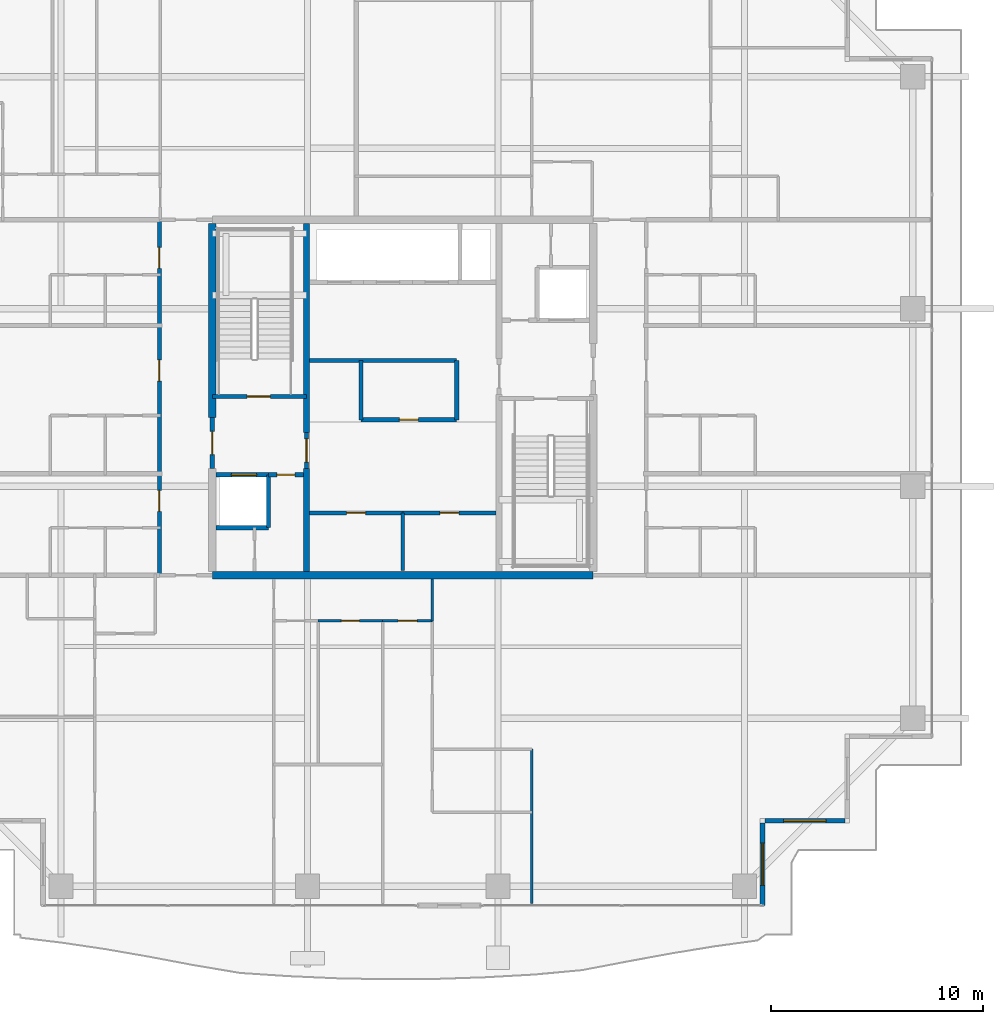
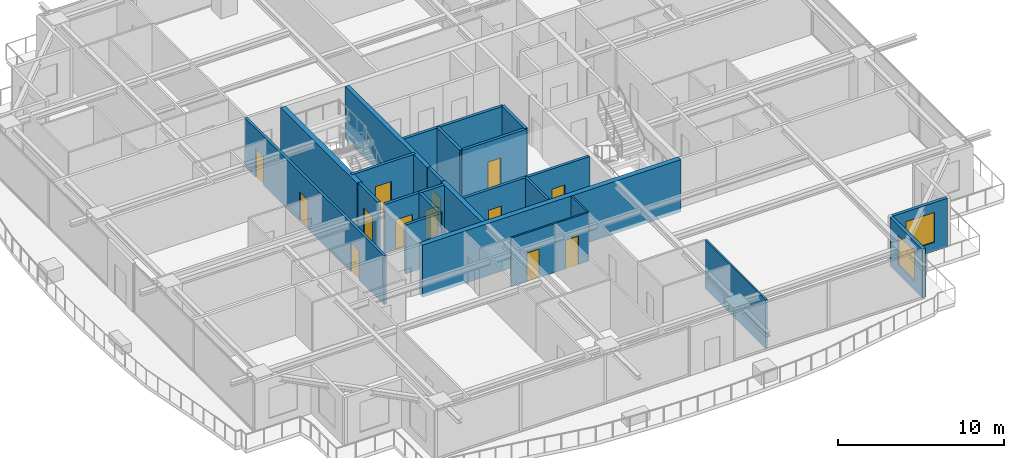
# One storey, part 26 of 36: 25 walls, 13 doors, 2 windows, 15 openings.
"""IFC4 building model written with IfcOpenShell, lengths in metres."""

import ifcopenshell
import ifcopenshell.guid

model = None  # the IFC model being written
_history = None  # IfcOwnerHistory: only IFC2X3 demands one
_inside = {}  # id of a spatial element -> (the spatial element, [elements in it])
_under = {}  # id of a project, library or spatial element -> (it, [spatial elements below it])
_declared = {}  # id of a project -> (the project, [libraries it declares])
_typed = {}  # id of a type object -> (the type object, [elements of that type])
_made_of = {}  # id of a material, layer set ... -> (it, [elements and type objects made of it])


def new_model(schema):
    """Start an empty IFC model of exactly this schema.

    Asked for "IFC4X3", IfcOpenShell would pick the latest addendum, in which some entities
    have other attributes; the version numbers below select the first issue.
    IFC2X3 requires an IfcOwnerHistory on every rooted entity: one is made here for all.
    """
    global model, _history
    if schema == "IFC4X3":
        model = ifcopenshell.file(schema_version=(4, 3, 0, 0))
    else:
        model = ifcopenshell.file(schema=schema)
    _inside.clear()
    _under.clear()
    _declared.clear()
    _typed.clear()
    _made_of.clear()
    _history = None
    if model.schema == "IFC2X3":
        org = make("IfcOrganization", Name="unknown")
        user = make(
            "IfcPersonAndOrganization",
            ThePerson=make("IfcPerson", FamilyName="unknown"),
            TheOrganization=org,
        )
        app = make(
            "IfcApplication",
            ApplicationDeveloper=org,
            Version="unknown",
            ApplicationFullName="unknown",
            ApplicationIdentifier="unknown",
        )
        _history = make(
            "IfcOwnerHistory",
            OwningUser=user,
            OwningApplication=app,
            ChangeAction="ADDED",
            CreationDate=0,
        )
    return model


def make(cls, **values):
    """One entity of the class cls with the attributes given. An attribute that is None is left unset."""
    return model.create_entity(
        cls, **{name: value for name, value in values.items() if value is not None}
    )


def rooted(cls, **values):
    """An entity with a GlobalId (a new one), such as an element, a storey or a relation."""
    return make(cls, GlobalId=ifcopenshell.guid.new(), OwnerHistory=_history, **values)


def si_unit(unit_type, name, prefix=None):
    """IfcSIUnit, for example si_unit("LENGTHUNIT", "METRE", prefix="MILLI")."""
    return make("IfcSIUnit", UnitType=unit_type, Prefix=prefix, Name=name)


def assignment(units):
    """IfcUnitAssignment: the units of a project."""
    return None if units is None else make("IfcUnitAssignment", Units=units)


def point(xyz):
    """IfcCartesianPoint."""
    return None if xyz is None else make("IfcCartesianPoint", Coordinates=xyz)


def direction(xyz):
    """IfcDirection."""
    return None if xyz is None else make("IfcDirection", DirectionRatios=xyz)


def frame(location, z_axis=None, x_axis=None):
    """IfcAxis2Placement3D, a coordinate frame: its origin and axes. An axis left out is left unset."""
    return make(
        "IfcAxis2Placement3D",
        Location=point(location),
        Axis=direction(z_axis),
        RefDirection=direction(x_axis),
    )


def frame_2d(location, x_axis=None):
    """IfcAxis2Placement2D, a coordinate frame in the plane: its origin and x axis."""
    return make(
        "IfcAxis2Placement2D", Location=point(location), RefDirection=direction(x_axis)
    )


def origin():
    """The frame at (0, 0, 0) with its axes left unset."""
    return frame((0.0, 0.0, 0.0))


def place(relative_to, where):
    """IfcLocalPlacement: puts the frame where relative to a parent placement (None: the world)."""
    return make(
        "IfcLocalPlacement", PlacementRelTo=relative_to, RelativePlacement=where
    )


def context(
    kind, dimensions, precision=None, world=None, true_north=None, identifier=None
):
    """IfcGeometricRepresentationContext, for example the 3D "Model" context."""
    return make(
        "IfcGeometricRepresentationContext",
        ContextIdentifier=identifier,
        ContextType=kind,
        CoordinateSpaceDimension=dimensions,
        Precision=precision,
        WorldCoordinateSystem=world,
        TrueNorth=true_north,
    )


def subcontext(parent, identifier, kind, view, scale=None):
    """IfcGeometricRepresentationSubContext, for example "Body" below "Model"."""
    return make(
        "IfcGeometricRepresentationSubContext",
        ContextIdentifier=identifier,
        ContextType=kind,
        ParentContext=parent,
        TargetScale=scale,
        TargetView=view,
    )


def project(units=None, contexts=None):
    """IfcProject with its units and contexts."""
    return rooted(
        "IfcProject",
        Name="project",
        RepresentationContexts=contexts,
        UnitsInContext=assignment(units),
    )


def spatial(cls, under=None, at=None, **own):
    """A site, building, storey or space (cls), placed at a placement, below another one or the project."""
    s = rooted(cls, ObjectPlacement=at, **own)
    if under is not None:
        _under.setdefault(under.id(), (under, []))[1].append(s)
    return s


def profile(cls, at=None, kind="AREA", **sizes):
    """A parametric profile (cls). Its sizes go by their IFC names, for example OverallWidth=200.0."""
    return make(cls, ProfileType=kind, Position=at, **sizes)


def rectangle(**sizes):
    """IfcRectangleProfileDef."""
    return profile("IfcRectangleProfileDef", **sizes)


def extrude(swept, where, along, depth):
    """IfcExtrudedAreaSolid: the profile swept, set in the frame where, extruded along a direction by depth."""
    return make(
        "IfcExtrudedAreaSolid",
        SweptArea=swept,
        Position=where,
        ExtrudedDirection=direction(along),
        Depth=depth,
    )


def shape(context_of_items, identifier, shape_type, items):
    """IfcShapeRepresentation: the items that make up one representation, for example the "Body"."""
    return make(
        "IfcShapeRepresentation",
        ContextOfItems=context_of_items,
        RepresentationIdentifier=identifier,
        RepresentationType=shape_type,
        Items=items,
    )


def source(mapping_origin, context_of_items, identifier, shape_type, items):
    """IfcRepresentationMap: a shape defined once, which mapped items show again and again."""
    return make(
        "IfcRepresentationMap",
        MappingOrigin=mapping_origin,
        MappedRepresentation=shape(context_of_items, identifier, shape_type, items),
    )


def transform(
    local_origin,
    x_axis=None,
    y_axis=None,
    z_axis=None,
    scale=None,
    scale2=None,
    scale3=None,
    uniform=True,
):
    """IfcCartesianTransformationOperator3D, or its non-uniform kind. x_axis, y_axis, z_axis: its Axis1, 2, 3."""
    if uniform:
        return make(
            "IfcCartesianTransformationOperator3D",
            Axis1=direction(x_axis),
            Axis2=direction(y_axis),
            LocalOrigin=point(local_origin),
            Scale=scale,
            Axis3=direction(z_axis),
        )
    return make(
        "IfcCartesianTransformationOperator3DnonUniform",
        Axis1=direction(x_axis),
        Axis2=direction(y_axis),
        LocalOrigin=point(local_origin),
        Scale=scale,
        Axis3=direction(z_axis),
        Scale2=scale2,
        Scale3=scale3,
    )


def mapped(mapping_source, mapping_target):
    """IfcMappedItem: shows the shape of a source again, moved by a transform."""
    return make(
        "IfcMappedItem", MappingSource=mapping_source, MappingTarget=mapping_target
    )


def material(Name=None, Category=None):
    """IfcMaterial."""
    return make("IfcMaterial", Name=Name, Category=Category)


def layer(
    of_material, thickness, ventilated=None, Name=None, Category=None, Priority=None
):
    """IfcMaterialLayer: one layer of a wall or slab, of a material (None: an air gap)."""
    return make(
        "IfcMaterialLayer",
        Material=of_material,
        LayerThickness=thickness,
        IsVentilated=ventilated,
        Name=Name,
        Category=Category,
        Priority=Priority,
    )


def layer_set(layers, Name=None):
    """IfcMaterialLayerSet."""
    return make("IfcMaterialLayerSet", MaterialLayers=layers, LayerSetName=Name)


def made_of(thing, what):
    """Note that an element or type object is made of a material, layer set ...; save() writes the relation."""
    if what is not None:
        _made_of.setdefault(what.id(), (what, []))[1].append(thing)
    return thing


def type_object(cls, material=None, **own):
    """A type object (cls), such as IfcWallType, which elements share."""
    return made_of(rooted(cls, **own), material)


def element(
    cls,
    number,
    at=None,
    inside=None,
    cuts=None,
    type_object=None,
    material=None,
    context=None,
    identifier="Body",
    shape_type=None,
    held_by="IfcProductDefinitionShape",
    body=None,
    shapes=None,
    **own,
):
    """One element of the class cls, such as IfcWall. Its Tag is "e" and its number.

    at: its placement. inside: the storey or other place that contains it. cuts: it is an
    opening in that element (IfcRelVoidsElement). A single representation is given by context,
    identifier, shape_type and body (its items); several are given by shapes. held_by: the class
    of the entity that holds the representations. save() writes the other relations.
    """
    e = rooted(cls, Tag="e%d" % number, ObjectPlacement=at, **own)
    if body is not None:
        shapes = [shape(context, identifier, shape_type, body)]
    if shapes is not None:
        e.Representation = make(held_by, Representations=shapes)
    if inside is not None:
        _inside.setdefault(inside.id(), (inside, []))[1].append(e)
    if cuts is not None:
        rooted(
            "IfcRelVoidsElement", RelatingBuildingElement=cuts, RelatedOpeningElement=e
        )
    if type_object is not None:
        _typed.setdefault(type_object.id(), (type_object, []))[1].append(e)
    return made_of(e, material)


def fill(opening, filler):
    """IfcRelFillsElement: the door or window that sits in an opening."""
    return rooted(
        "IfcRelFillsElement",
        RelatingOpeningElement=opening,
        RelatedBuildingElement=filler,
    )


def aggregate(whole, parts):
    """IfcRelAggregates: a whole, such as a stair, and the parts it consists of."""
    return rooted("IfcRelAggregates", RelatingObject=whole, RelatedObjects=parts)


def save(model, path):
    """Write the relations noted so far, then the file.

    IfcRelAggregates (storeys below a building ...), IfcRelContainedInSpatialStructure (elements
    in a storey), IfcRelDefinesByType, IfcRelAssociatesMaterial and IfcRelDeclares: one each for
    every whole, place, type object, material and project.
    """
    for whole, parts in _under.values():
        aggregate(whole, parts)
    for where, things in _inside.values():
        rooted(
            "IfcRelContainedInSpatialStructure",
            RelatedElements=things,
            RelatingStructure=where,
        )
    for kind, things in _typed.values():
        rooted("IfcRelDefinesByType", RelatedObjects=things, RelatingType=kind)
    for what, things in _made_of.values():
        rooted("IfcRelAssociatesMaterial", RelatedObjects=things, RelatingMaterial=what)
    for by, libraries in _declared.values():
        rooted("IfcRelDeclares", RelatingContext=by, RelatedDefinitions=libraries)
    model.write(path)


model = new_model("IFC4")

# Units and contexts
model_context = context("Model", 3, precision=1e-05, world=origin(), true_north=direction((0.0, 1.0)))
body_context = subcontext(model_context, "Body", "Model", "MODEL_VIEW")
ifc_project = project(units=[si_unit("LENGTHUNIT", "METRE"), si_unit("AREAUNIT", "SQUARE_METRE"), si_unit("VOLUMEUNIT", "CUBIC_METRE"), si_unit("PLANEANGLEUNIT", "RADIAN"), si_unit("MASSUNIT", "GRAM", prefix="KILO")], contexts=[model_context])

# Site, building, storey
site_placement = place(None, origin())
site = spatial("IfcSite", under=ifc_project, at=site_placement, CompositionType="ELEMENT")
building_placement = place(site_placement, origin())
building = spatial("IfcBuilding", under=site, at=building_placement, Name="Serunith Strait Residences", CompositionType="ELEMENT")
storey_placement = place(building_placement, frame((0.0, 0.0, 256.64990234375)))
storey = spatial("IfcBuildingStorey", under=building, at=storey_placement, Name="L64", CompositionType="ELEMENT", Elevation=256.64990234375)

# Wall, opening, window
ifc_material_1 = material(Name="Pale-Champagne Aluminium Insulated Panel", Category="aluminium")
ifc_layer_1 = layer(ifc_material_1, 0.219970703125, Name="Pale-Champagne Aluminium Insulated Panel")
ifc_layer_set_1 = layer_set([ifc_layer_1], Name="Pale-Champagne Aluminium Insulated Panel")
wall_type_1 = type_object("IfcWallType", Name="EW-ALUM-220", PredefinedType="ELEMENTEDWALL", material=ifc_layer_set_1)
wall_1_placement = place(storey_placement, frame((49.39990234375, 1.199951171875, 0.0), z_axis=(0.0, 0.0, 1.0), x_axis=(0.0, 1.0, 0.0)))
wall_1 = element("IfcWall", 1, at=wall_1_placement, inside=storey, type_object=wall_type_1, Name="L64 Girih Serrated Corner Wall 02", PredefinedType="ELEMENTEDWALL", context=body_context, shape_type="SweptSolid", body=[
    extrude(rectangle(XDim=3.89013671875, YDim=0.219970703125, at=frame_2d((1.945068359375, 0.0))), origin(), (0.0, 0.0, 1.0), 3.5751953125),
])
opening_1_placement = place(wall_1_placement, frame((0.945068359375, 0.0, 0.64990234375)))
opening_1 = element("IfcOpeningElement", 2, at=opening_1_placement, cuts=wall_1, Name="Opening W-04", PredefinedType="OPENING", context=body_context, shape_type="SweptSolid", body=[
    extrude(rectangle(XDim=2.0, YDim=2.199951171875, at=frame_2d((1.0, 1.10009765625))), frame((0.0, 0.1201171875, 0.0), z_axis=(0.0, -1.0, 0.0), x_axis=(1.0, 0.0, 0.0)), (0.0, 0.0, 1.0), 0.239990234375),
])
ifc_material_2 = material(Name="Ceramic-Fritted Operable Aluminium Window Glass", Category="aluminium")
window_type = type_object("IfcWindowType", Name="WIN-C4", PartitioningType="TRIPLE_PANEL_VERTICAL", PredefinedType="WINDOW", material=ifc_material_2)
shared_shape_1 = source(origin(), body_context, "Body", "SweptSolid", [
    extrude(rectangle(XDim=2.0, YDim=2.199951171875, at=frame_2d((1.0, 1.10009765625))), frame((0.0, 0.030029296875, 0.0), z_axis=(0.0, -1.0, 0.0), x_axis=(1.0, 0.0, 0.0)), (0.0, 0.0, 1.0), 0.06005859375),
])
window_1_placement = place(opening_1_placement, origin())
window_1 = element("IfcWindow", 3, at=window_1_placement, inside=storey, type_object=window_type, Name="L64 Corner Operable Fritted Window 02", OverallHeight=2.199951171875, OverallWidth=2.0, PartitioningType="SINGLE_PANEL", PredefinedType="WINDOW", context=body_context, shape_type="MappedRepresentation", body=[
    mapped(shared_shape_1, transform((0.0, 0.0, 0.0), scale=1.0)),
])
fill(opening_1, window_1)

wall_2_placement = place(storey_placement, frame((49.510009765625, 5.199951171875, 0.0), z_axis=(0.0, 0.0, 1.0), x_axis=(1.0, 0.0, 0.0)))
wall_2 = element("IfcWall", 4, at=wall_2_placement, inside=storey, type_object=wall_type_1, Name="L64 Girih Serrated Corner Wall 03", PredefinedType="ELEMENTEDWALL", context=body_context, shape_type="SweptSolid", body=[
    extrude(rectangle(XDim=3.780029296875, YDim=0.219970703125, at=frame_2d((1.89013671875, 0.0))), origin(), (0.0, 0.0, 1.0), 3.5751953125),
])
opening_2_placement = place(wall_2_placement, frame((0.889892578125, 0.0, 0.64990234375)))
opening_2 = element("IfcOpeningElement", 5, at=opening_2_placement, cuts=wall_2, Name="Opening W-04", PredefinedType="OPENING", context=body_context, shape_type="SweptSolid", body=[
    extrude(rectangle(XDim=2.0, YDim=2.199951171875, at=frame_2d((1.0, 1.10009765625))), frame((0.0, 0.1201171875, 0.0), z_axis=(0.0, -1.0, 0.0), x_axis=(1.0, 0.0, 0.0)), (0.0, 0.0, 1.0), 0.239990234375),
])
window_2_placement = place(opening_2_placement, origin())
window_2 = element("IfcWindow", 6, at=window_2_placement, inside=storey, type_object=window_type, Name="L64 Corner Operable Fritted Window 03", OverallHeight=2.199951171875, OverallWidth=2.0, PartitioningType="SINGLE_PANEL", PredefinedType="WINDOW", context=body_context, shape_type="MappedRepresentation", body=[
    mapped(shared_shape_1, transform((0.0, 0.0, 0.0), scale=1.0)),
])
fill(opening_2, window_2)

# Wall
ifc_material_3 = material(Name="Fire-rated masonry service closet wall", Category="masonry")
ifc_layer_2 = layer(ifc_material_3, 0.14990234375, Name="Fire-rated masonry service closet wall")
ifc_layer_set_2 = layer_set([ifc_layer_2], Name="Fire-rated masonry service closet wall")
wall_type_2 = type_object("IfcWallType", Name="IW-BOH-150", PredefinedType="PARTITIONING", material=ifc_layer_set_2)
wall_3_placement = place(storey_placement, frame((32.39990234375, 17.02001953125, 0.0), z_axis=(0.0, 0.0, 1.0), x_axis=(0.0, 1.0, 0.0)))
element("IfcWall", 7, at=wall_3_placement, inside=storey, type_object=wall_type_2, Name="L64 Partition Wall 015", PredefinedType="PARTITIONING", context=body_context, shape_type="SweptSolid", body=[
    extrude(rectangle(XDim=2.72998046875, YDim=0.14990234375, at=frame_2d((1.364990234375, 0.0))), origin(), (0.0, 0.0, 1.0), 3.590087890625),
])

# Wall, openings, doors
ifc_material_4 = material(Name="Fire-rated acoustic gypsum partition")
ifc_layer_3 = layer(ifc_material_4, 0.179931640625, Name="Fire-rated acoustic gypsum partition")
ifc_layer_set_3 = layer_set([ifc_layer_3], Name="Fire-rated acoustic gypsum partition")
wall_type_3 = type_object("IfcWallType", Name="IW-CORR-180", PredefinedType="PARTITIONING", material=ifc_layer_set_3)
wall_4_placement = place(storey_placement, frame((20.89990234375, 16.800048828125, 0.0), z_axis=(0.0, 0.0, 1.0), x_axis=(0.0, 1.0, 0.0)))
wall_4 = element("IfcWall", 8, at=wall_4_placement, inside=storey, type_object=wall_type_3, Name="L64 Partition Wall 031", PredefinedType="PARTITIONING", context=body_context, shape_type="SweptSolid", body=[
    extrude(rectangle(XDim=16.800048828125, YDim=0.179931640625, at=frame_2d((8.39990234375, 0.0))), origin(), (0.0, 0.0, 1.0), 3.590087890625),
])
opening_3_placement = place(wall_4_placement, frame((3.01806640625, 0.0, 0.0)))
opening_3 = element("IfcOpeningElement", 9, at=opening_3_placement, cuts=wall_4, Name="Opening D-APT1000", PredefinedType="OPENING", context=body_context, shape_type="SweptSolid", body=[
    extrude(rectangle(XDim=1.0, YDim=2.14990234375, at=frame_2d((0.5, 1.074951171875))), frame((0.0, 0.10009765625, 0.0), z_axis=(0.0, -1.0, 0.0), x_axis=(1.0, 0.0, 0.0)), (0.0, 0.0, 1.0), 0.199951171875),
])
opening_4_placement = place(wall_4_placement, frame((9.179931640625, 0.0, 0.0)))
opening_4 = element("IfcOpeningElement", 10, at=opening_4_placement, cuts=wall_4, Name="Opening D-APT1000", PredefinedType="OPENING", context=body_context, shape_type="SweptSolid", body=[
    extrude(rectangle(XDim=1.0, YDim=2.14990234375, at=frame_2d((0.5, 1.074951171875))), frame((0.0, 0.10009765625, 0.0), z_axis=(0.0, -1.0, 0.0), x_axis=(1.0, 0.0, 0.0)), (0.0, 0.0, 1.0), 0.199951171875),
])
opening_5_placement = place(wall_4_placement, frame((14.5, 0.0, 0.0)))
opening_5 = element("IfcOpeningElement", 11, at=opening_5_placement, cuts=wall_4, Name="Opening D-APT1000", PredefinedType="OPENING", context=body_context, shape_type="SweptSolid", body=[
    extrude(rectangle(XDim=1.0, YDim=2.14990234375, at=frame_2d((0.5, 1.074951171875))), frame((0.0, 0.10009765625, 0.0), z_axis=(0.0, -1.0, 0.0), x_axis=(1.0, 0.0, 0.0)), (0.0, 0.0, 1.0), 0.199951171875),
])
ifc_material_5 = material(Name="Solid timber engineered fire door", Category="wood")
door_type_1 = type_object("IfcDoorType", Name="ID-APT-1000", OperationType="NOTDEFINED", PredefinedType="DOOR", material=ifc_material_5)
shared_shape_2 = source(origin(), body_context, "Body", "SweptSolid", [
    extrude(rectangle(XDim=1.0, YDim=2.14990234375, at=frame_2d((0.5, 1.074951171875))), frame((0.0, 0.02490234375, 0.0), z_axis=(0.0, -1.0, 0.0), x_axis=(1.0, 0.0, 0.0)), (0.0, 0.0, 1.0), 0.050048828125),
])
door_1_placement = place(opening_3_placement, origin())
door_1 = element("IfcDoor", 12, at=door_1_placement, inside=storey, type_object=door_type_1, Name="L64 Unit 04 Entrance Door", OperationType="SINGLE_SWING_RIGHT", OverallHeight=2.14990234375, OverallWidth=1.0, PredefinedType="DOOR", context=body_context, shape_type="MappedRepresentation", body=[
    mapped(shared_shape_2, transform((0.0, 0.0, 0.0), scale=1.0)),
])
fill(opening_3, door_1)
door_2_placement = place(opening_4_placement, origin())
door_2 = element("IfcDoor", 13, at=door_2_placement, inside=storey, type_object=door_type_1, Name="L64 Unit 05 Entrance Door", OperationType="SINGLE_SWING_LEFT", OverallHeight=2.14990234375, OverallWidth=1.0, PredefinedType="DOOR", context=body_context, shape_type="MappedRepresentation", body=[
    mapped(shared_shape_2, transform((0.0, 0.0, 0.0), scale=1.0)),
])
fill(opening_4, door_2)
door_3_placement = place(opening_5_placement, origin())
door_3 = element("IfcDoor", 14, at=door_3_placement, inside=storey, type_object=door_type_1, Name="L64 Unit 06 Entrance Door", OperationType="SINGLE_SWING_RIGHT", OverallHeight=2.14990234375, OverallWidth=1.0, PredefinedType="DOOR", context=body_context, shape_type="MappedRepresentation", body=[
    mapped(shared_shape_2, transform((0.0, 0.0, 0.0), scale=1.0)),
])
fill(opening_5, door_3)

# Wall, opening, door
ifc_material_6 = material(Name="Lightweight steel-stud gypsum partition", Category="steel")
ifc_layer_4 = layer(ifc_material_6, 0.1201171875, Name="Lightweight steel-stud gypsum partition")
ifc_layer_set_4 = layer_set([ifc_layer_4], Name="Lightweight steel-stud gypsum partition")
wall_type_4 = type_object("IfcWallType", Name="IW-PART-120", PredefinedType="PARTITIONING", material=ifc_layer_set_4)
wall_5_placement = place(storey_placement, frame((28.402099609375, 14.64990234375, 0.0), z_axis=(0.0, 0.0, 1.0), x_axis=(1.0, 0.0, 0.0)))
wall_5 = element("IfcWall", 15, at=wall_5_placement, inside=storey, type_object=wall_type_4, Name="L64 Partition Wall 050", PredefinedType="PARTITIONING", context=body_context, shape_type="SweptSolid", body=[
    extrude(rectangle(XDim=3.0478515625, YDim=0.1201171875, at=frame_2d((1.52392578125, 0.0))), origin(), (0.0, 0.0, 1.0), 3.590087890625),
])
opening_6_placement = place(wall_5_placement, frame((1.09912109375, 0.0, 0.0)))
opening_6 = element("IfcOpeningElement", 16, at=opening_6_placement, cuts=wall_5, Name="Opening D-RM850", PredefinedType="OPENING", context=body_context, shape_type="SweptSolid", body=[
    extrude(rectangle(XDim=0.85009765625, YDim=2.10009765625, at=frame_2d((0.425048828125, 1.050048828125))), frame((0.0, 0.070068359375, 0.0), z_axis=(0.0, -1.0, 0.0), x_axis=(1.0, 0.0, 0.0)), (0.0, 0.0, 1.0), 0.14013671875),
])
ifc_material_7 = material(Name="Engineered timber flush study and kitchen door", Category="wood")
door_type_2 = type_object("IfcDoorType", Name="ID-ROOM-850", OperationType="NOTDEFINED", PredefinedType="DOOR", material=ifc_material_7)
shared_shape_3 = source(origin(), body_context, "Body", "SweptSolid", [
    extrude(rectangle(XDim=0.85009765625, YDim=2.10009765625, at=frame_2d((0.425048828125, 1.050048828125))), frame((0.0, 0.02490234375, 0.0), z_axis=(0.0, -1.0, 0.0), x_axis=(1.0, 0.0, 0.0)), (0.0, 0.0, 1.0), 0.050048828125),
])
door_4_placement = place(opening_6_placement, origin())
door_4 = element("IfcDoor", 17, at=door_4_placement, inside=storey, type_object=door_type_2, Name="L64 Formal Dining Room 6401 Door", OperationType="SINGLE_SWING_RIGHT", OverallHeight=2.10009765625, OverallWidth=0.85009765625, PredefinedType="DOOR", context=body_context, shape_type="MappedRepresentation", body=[
    mapped(shared_shape_3, transform((0.0, 0.0, 0.0), scale=1.0)),
])
fill(opening_6, door_4)

wall_6_placement = place(storey_placement, frame((31.451904296875, 14.64990234375, 0.0), z_axis=(0.0, 0.0, 1.0), x_axis=(1.0, 0.0, 0.0)))
wall_6 = element("IfcWall", 18, at=wall_6_placement, inside=storey, type_object=wall_type_4, Name="L64 Partition Wall 051", PredefinedType="PARTITIONING", context=body_context, shape_type="SweptSolid", body=[
    extrude(rectangle(XDim=2.34814453125, YDim=0.1201171875, at=frame_2d((1.174072265625, 0.0))), origin(), (0.0, 0.0, 1.0), 3.590087890625),
])
opening_7_placement = place(wall_6_placement, frame((0.72412109375, 0.0, 0.0)))
opening_7 = element("IfcOpeningElement", 19, at=opening_7_placement, cuts=wall_6, Name="Opening D-RM900", PredefinedType="OPENING", context=body_context, shape_type="SweptSolid", body=[
    extrude(rectangle(XDim=0.89990234375, YDim=2.10009765625, at=frame_2d((0.449951171875, 1.050048828125))), frame((0.0, 0.070068359375, 0.0), z_axis=(0.0, -1.0, 0.0), x_axis=(1.0, 0.0, 0.0)), (0.0, 0.0, 1.0), 0.14013671875),
])
ifc_material_8 = material(Name="Engineered timber flush bedroom door", Category="wood")
door_type_3 = type_object("IfcDoorType", Name="ID-ROOM-900", OperationType="NOTDEFINED", PredefinedType="DOOR", material=ifc_material_8)
shared_shape_4 = source(origin(), body_context, "Body", "SweptSolid", [
    extrude(rectangle(XDim=0.89990234375, YDim=2.10009765625, at=frame_2d((0.449951171875, 1.050048828125))), frame((0.0, 0.02490234375, 0.0), z_axis=(0.0, -1.0, 0.0), x_axis=(1.0, 0.0, 0.0)), (0.0, 0.0, 1.0), 0.050048828125),
])
door_5_placement = place(opening_7_placement, origin())
door_5 = element("IfcDoor", 20, at=door_5_placement, inside=storey, type_object=door_type_3, Name="L64 Master Bedroom E 6401 Door", OperationType="SINGLE_SWING_LEFT", OverallHeight=2.10009765625, OverallWidth=0.89990234375, PredefinedType="DOOR", context=body_context, shape_type="MappedRepresentation", body=[
    mapped(shared_shape_4, transform((0.0, 0.0, 0.0), scale=1.0)),
])
fill(opening_7, door_5)

# Walls
wall_7_placement = place(storey_placement, frame((38.5, 1.294921875, 0.0), z_axis=(0.0, 0.0, 1.0), x_axis=(0.0, 1.0, 0.0)))
element("IfcWall", 21, at=wall_7_placement, inside=storey, type_object=wall_type_4, Name="L64 Partition Wall 053", PredefinedType="PARTITIONING", context=body_context, shape_type="SweptSolid", body=[
    extrude(rectangle(XDim=7.29296875, YDim=0.1201171875, at=frame_2d((3.646484375, 0.0))), origin(), (0.0, 0.0, 1.0), 3.590087890625),
])
wall_8_placement = place(storey_placement, frame((33.800048828125, 14.652099609375, 0.0), z_axis=(0.0, 0.0, 1.0), x_axis=(0.0, 1.0, 0.0)))
element("IfcWall", 22, at=wall_8_placement, inside=storey, type_object=wall_type_4, Name="L64 Partition Wall 057", PredefinedType="PARTITIONING", context=body_context, shape_type="SweptSolid", body=[
    extrude(rectangle(XDim=1.972900390625, YDim=0.1201171875, at=frame_2d((0.986328125, 0.0))), origin(), (0.0, 0.0, 1.0), 3.590087890625),
])

# Wall, opening, door
ifc_material_9 = material(Name="Autoclaved aerated concrete blockwork", Category="masonry")
ifc_layer_5 = layer(ifc_material_9, 0.199951171875, Name="Autoclaved aerated concrete blockwork")
ifc_layer_set_5 = layer_set([ifc_layer_5], Name="Autoclaved aerated concrete blockwork")
wall_type_5 = type_object("IfcWallType", Name="IW-SHAFT-200", PredefinedType="STANDARD", material=ifc_layer_set_5)
wall_9_placement = place(storey_placement, frame((23.39990234375, 25.25, 0.0), z_axis=(0.0, 0.0, 1.0), x_axis=(1.0, 0.0, 0.0)))
wall_9 = element("IfcWall", 23, at=wall_9_placement, inside=storey, type_object=wall_type_5, Name="L64 ST-1 South Shaft Wall", PredefinedType="STANDARD", context=body_context, shape_type="SweptSolid", body=[
    extrude(rectangle(XDim=4.4501953125, YDim=0.199951171875, at=frame_2d((2.22509765625, 0.0))), origin(), (0.0, 0.0, 1.0), 3.590087890625),
])
opening_8_placement = place(wall_9_placement, frame((1.64990234375, 0.0, 0.0)))
opening_8 = element("IfcOpeningElement", 24, at=opening_8_placement, cuts=wall_9, Name="Opening FD-1100", PredefinedType="OPENING", context=body_context, shape_type="SweptSolid", body=[
    extrude(rectangle(XDim=1.10009765625, YDim=2.14990234375, at=frame_2d((0.550048828125, 1.074951171875))), frame((0.0, 0.10986328125, 0.0), z_axis=(0.0, -1.0, 0.0), x_axis=(1.0, 0.0, 0.0)), (0.0, 0.0, 1.0), 0.219970703125),
])
ifc_material_10 = material(Name="Galvanised steel fire door leaf", Category="steel")
door_type_4 = type_object("IfcDoorType", Name="FD-STAIR-1100", OperationType="NOTDEFINED", PredefinedType="DOOR", material=ifc_material_10)
shared_shape_5 = source(origin(), body_context, "Body", "SweptSolid", [
    extrude(rectangle(XDim=1.10009765625, YDim=2.14990234375, at=frame_2d((0.550048828125, 1.074951171875))), frame((0.0, 0.02490234375, 0.0), z_axis=(0.0, -1.0, 0.0), x_axis=(1.0, 0.0, 0.0)), (0.0, 0.0, 1.0), 0.050048828125),
])
door_6_placement = place(opening_8_placement, origin())
door_6 = element("IfcDoor", 25, at=door_6_placement, inside=storey, type_object=door_type_4, Name="L64 ST-1 Escape Stair Door", OperationType="SINGLE_SWING_RIGHT", OverallHeight=2.14990234375, OverallWidth=1.10009765625, PredefinedType="DOOR", context=body_context, shape_type="MappedRepresentation", body=[
    mapped(shared_shape_5, transform((0.0, 0.0, 0.0), scale=1.0)),
])
fill(opening_8, door_6)

wall_10_placement = place(storey_placement, frame((23.574951171875, 21.550048828125, 0.0), z_axis=(0.0, 0.0, 1.0), x_axis=(1.0, 0.0, 0.0)))
wall_10 = element("IfcWall", 26, at=wall_10_placement, inside=storey, type_object=wall_type_5, Name="L64 FL-1 North Shaft Wall", PredefinedType="STANDARD", context=body_context, shape_type="SweptSolid", body=[
    extrude(rectangle(XDim=2.47509765625, YDim=0.199951171875, at=frame_2d((1.237548828125, 0.0))), origin(), (0.0, 0.0, 1.0), 3.590087890625),
])
opening_9_placement = place(wall_10_placement, frame((0.72509765625, 0.0, 0.0)))
opening_9 = element("IfcOpeningElement", 27, at=opening_9_placement, cuts=wall_10, Name="Opening LD-FF1200", PredefinedType="OPENING", context=body_context, shape_type="SweptSolid", body=[
    extrude(rectangle(XDim=1.199951171875, YDim=2.199951171875, at=frame_2d((0.60009765625, 1.10009765625))), frame((0.0, 0.10986328125, 0.0), z_axis=(0.0, -1.0, 0.0), x_axis=(1.0, 0.0, 0.0)), (0.0, 0.0, 1.0), 0.219970703125),
])
ifc_material_11 = material(Name="Brushed stainless steel landing door", Category="steel")
door_type_5 = type_object("IfcDoorType", Name="LD-FF-1200", OperationType="DOUBLE_DOOR_SLIDING", PredefinedType="DOOR", material=ifc_material_11)
shared_shape_6 = source(origin(), body_context, "Body", "SweptSolid", [
    extrude(rectangle(XDim=1.199951171875, YDim=2.199951171875, at=frame_2d((0.60009765625, 1.10009765625))), frame((0.0, 0.02490234375, 0.0), z_axis=(0.0, -1.0, 0.0), x_axis=(1.0, 0.0, 0.0)), (0.0, 0.0, 1.0), 0.050048828125),
])
door_7_placement = place(opening_9_placement, origin())
door_7 = element("IfcDoor", 28, at=door_7_placement, inside=storey, type_object=door_type_5, Name="L64 FL-1 Landing Door", OperationType="DOUBLE_DOOR_SLIDING", OverallHeight=2.199951171875, OverallWidth=1.199951171875, PredefinedType="DOOR", context=body_context, shape_type="MappedRepresentation", body=[
    mapped(shared_shape_6, transform((0.0, 0.0, 0.0), scale=1.0)),
])
fill(opening_9, door_7)

# Walls
wall_11_placement = place(storey_placement, frame((26.050048828125, 19.050048828125, 0.0), z_axis=(0.0, 0.0, 1.0), x_axis=(0.0, 1.0, 0.0)))
element("IfcWall", 29, at=wall_11_placement, inside=storey, type_object=wall_type_5, Name="L64 Partition Wall 001", PredefinedType="STANDARD", context=body_context, shape_type="SweptSolid", body=[
    extrude(rectangle(XDim=2.5, YDim=0.199951171875, at=frame_2d((1.25, 0.0))), origin(), (0.0, 0.0, 1.0), 3.590087890625),
])
wall_12_placement = place(storey_placement, frame((23.574951171875, 19.050048828125, 0.0), z_axis=(0.0, 0.0, 1.0), x_axis=(1.0, 0.0, 0.0)))
element("IfcWall", 30, at=wall_12_placement, inside=storey, type_object=wall_type_5, Name="L64 Partition Wall 002", PredefinedType="STANDARD", context=body_context, shape_type="SweptSolid", body=[
    extrude(rectangle(XDim=2.47509765625, YDim=0.199951171875, at=frame_2d((1.237548828125, 0.0))), origin(), (0.0, 0.0, 1.0), 3.590087890625),
])

# Wall, opening, door
wall_13_placement = place(storey_placement, frame((26.052001953125, 21.550048828125, 0.0), z_axis=(0.0, 0.0, 1.0), x_axis=(1.0, 0.0, 0.0)))
wall_13 = element("IfcWall", 31, at=wall_13_placement, inside=storey, type_object=wall_type_5, Name="L64 Partition Wall 003", PredefinedType="STANDARD", context=body_context, shape_type="SweptSolid", body=[
    extrude(rectangle(XDim=1.64794921875, YDim=0.199951171875, at=frame_2d((0.823974609375, 0.0))), origin(), (0.0, 0.0, 1.0), 3.590087890625),
])
opening_10_placement = place(wall_13_placement, frame((0.39892578125, 0.0, 0.0)))
opening_10 = element("IfcOpeningElement", 32, at=opening_10_placement, cuts=wall_13, Name="Opening FD-850", PredefinedType="OPENING", context=body_context, shape_type="SweptSolid", body=[
    extrude(rectangle(XDim=0.85009765625, YDim=2.10009765625, at=frame_2d((0.425048828125, 1.050048828125))), frame((0.0, 0.10986328125, 0.0), z_axis=(0.0, -1.0, 0.0), x_axis=(1.0, 0.0, 0.0)), (0.0, 0.0, 1.0), 0.219970703125),
])
ifc_material_12 = material(Name="Powder-coated steel service closet door", Category="steel")
door_type_6 = type_object("IfcDoorType", Name="FD-BOH-850", OperationType="NOTDEFINED", PredefinedType="DOOR", material=ifc_material_12)
door_8_placement = place(opening_10_placement, origin())
door_8 = element("IfcDoor", 33, at=door_8_placement, inside=storey, type_object=door_type_6, Name="L64 South-West Core Service Door", OperationType="SINGLE_SWING_LEFT", OverallHeight=2.10009765625, OverallWidth=0.85009765625, PredefinedType="DOOR", context=body_context, shape_type="MappedRepresentation", body=[
    mapped(shared_shape_3, transform((0.0, 0.0, 0.0), scale=1.0)),
])
fill(opening_10, door_8)

wall_14_placement = place(storey_placement, frame((23.39990234375, 21.85205078125, 0.0), z_axis=(0.0, 0.0, 1.0), x_axis=(0.0, 1.0, 0.0)))
wall_14 = element("IfcWall", 34, at=wall_14_placement, inside=storey, type_object=wall_type_5, Name="L64 Partition Wall 007", PredefinedType="STANDARD", context=body_context, shape_type="SweptSolid", body=[
    extrude(rectangle(XDim=2.39599609375, YDim=0.199951171875, at=frame_2d((1.197998046875, 0.0))), origin(), (0.0, 0.0, 1.0), 3.590087890625),
])
opening_11_placement = place(wall_14_placement, frame((0.64794921875, 0.0, 0.0)))
opening_11 = element("IfcOpeningElement", 35, at=opening_11_placement, cuts=wall_14, Name="Opening FD-FFL", PredefinedType="OPENING", context=body_context, shape_type="SweptSolid", body=[
    extrude(rectangle(XDim=1.10009765625, YDim=2.14990234375, at=frame_2d((0.550048828125, 1.074951171875))), frame((0.0, 0.10986328125, 0.0), z_axis=(0.0, -1.0, 0.0), x_axis=(1.0, 0.0, 0.0)), (0.0, 0.0, 1.0), 0.219970703125),
])
ifc_material_13 = material(Name="Glazed steel smoke-lobby fire door", Category="steel")
door_type_7 = type_object("IfcDoorType", Name="FD-FFL-1100", OperationType="NOTDEFINED", PredefinedType="DOOR", material=ifc_material_13)
door_9_placement = place(opening_11_placement, origin())
door_9 = element("IfcDoor", 36, at=door_9_placement, inside=storey, type_object=door_type_7, Name="L64 FFL-1 Corridor Fire Door", OperationType="SINGLE_SWING_LEFT", OverallHeight=2.14990234375, OverallWidth=1.10009765625, PredefinedType="DOOR", context=body_context, shape_type="MappedRepresentation", body=[
    mapped(shared_shape_5, transform((0.0, 0.0, 0.0), scale=1.0)),
])
fill(opening_11, door_9)

wall_15_placement = place(storey_placement, frame((27.85009765625, 21.85205078125, 0.0), z_axis=(0.0, 0.0, 1.0), x_axis=(0.0, 1.0, 0.0)))
wall_15 = element("IfcWall", 37, at=wall_15_placement, inside=storey, type_object=wall_type_5, Name="L64 Partition Wall 009", PredefinedType="STANDARD", context=body_context, shape_type="SweptSolid", body=[
    extrude(rectangle(XDim=1.696044921875, YDim=0.199951171875, at=frame_2d((0.84814453125, 0.0))), origin(), (0.0, 0.0, 1.0), 3.590087890625),
])
opening_12_placement = place(wall_15_placement, frame((0.298095703125, 0.0, 0.0)))
opening_12 = element("IfcOpeningElement", 38, at=opening_12_placement, cuts=wall_15, Name="Opening FD-FFL", PredefinedType="OPENING", context=body_context, shape_type="SweptSolid", body=[
    extrude(rectangle(XDim=1.10009765625, YDim=2.14990234375, at=frame_2d((0.550048828125, 1.074951171875))), frame((0.0, 0.10986328125, 0.0), z_axis=(0.0, -1.0, 0.0), x_axis=(1.0, 0.0, 0.0)), (0.0, 0.0, 1.0), 0.219970703125),
])
door_10_placement = place(opening_12_placement, origin())
door_10 = element("IfcDoor", 39, at=door_10_placement, inside=storey, type_object=door_type_7, Name="L64 FFL-1 Lift Lobby Door", OperationType="SINGLE_SWING_LEFT", OverallHeight=2.14990234375, OverallWidth=1.10009765625, PredefinedType="DOOR", context=body_context, shape_type="MappedRepresentation", body=[
    mapped(shared_shape_5, transform((0.0, 0.0, 0.0), scale=1.0)),
])
fill(opening_12, door_10)

wall_16_placement = place(storey_placement, frame((28.0, 19.75, 0.0), z_axis=(0.0, 0.0, 1.0), x_axis=(1.0, 0.0, 0.0)))
wall_16 = element("IfcWall", 40, at=wall_16_placement, inside=storey, type_object=wall_type_5, Name="L64 Partition Wall 013", PredefinedType="STANDARD", context=body_context, shape_type="SweptSolid", body=[
    extrude(rectangle(XDim=4.39990234375, YDim=0.199951171875, at=frame_2d((2.199951171875, 0.0))), origin(), (0.0, 0.0, 1.0), 3.590087890625),
])
opening_13_placement = place(wall_16_placement, frame((1.75, 0.0, 0.0)))
opening_13 = element("IfcOpeningElement", 41, at=opening_13_placement, cuts=wall_16, Name="Opening FD-900", PredefinedType="OPENING", context=body_context, shape_type="SweptSolid", body=[
    extrude(rectangle(XDim=0.89990234375, YDim=2.10009765625, at=frame_2d((0.449951171875, 1.050048828125))), frame((0.0, 0.10986328125, 0.0), z_axis=(0.0, -1.0, 0.0), x_axis=(1.0, 0.0, 0.0)), (0.0, 0.0, 1.0), 0.219970703125),
])
ifc_material_14 = material(Name="Powder-coated steel riser door", Category="steel")
door_type_8 = type_object("IfcDoorType", Name="FD-BOH-900", OperationType="NOTDEFINED", PredefinedType="DOOR", material=ifc_material_14)
door_11_placement = place(opening_13_placement, origin())
door_11 = element("IfcDoor", 42, at=door_11_placement, inside=storey, type_object=door_type_8, Name="L64 Fan-Coil Plant Door", OperationType="SINGLE_SWING_LEFT", OverallHeight=2.10009765625, OverallWidth=0.89990234375, PredefinedType="DOOR", context=body_context, shape_type="MappedRepresentation", body=[
    mapped(shared_shape_4, transform((0.0, 0.0, 0.0), scale=1.0)),
])
fill(opening_13, door_11)

wall_17_placement = place(storey_placement, frame((32.402099609375, 19.75, 0.0), z_axis=(0.0, 0.0, 1.0), x_axis=(1.0, 0.0, 0.0)))
wall_17 = element("IfcWall", 43, at=wall_17_placement, inside=storey, type_object=wall_type_5, Name="L64 Partition Wall 014", PredefinedType="STANDARD", context=body_context, shape_type="SweptSolid", body=[
    extrude(rectangle(XDim=4.39794921875, YDim=0.199951171875, at=frame_2d((2.198974609375, 0.0))), origin(), (0.0, 0.0, 1.0), 3.590087890625),
])
opening_14_placement = place(wall_17_placement, frame((1.7490234375, 0.0, 0.0)))
opening_14 = element("IfcOpeningElement", 44, at=opening_14_placement, cuts=wall_17, Name="Opening FD-900", PredefinedType="OPENING", context=body_context, shape_type="SweptSolid", body=[
    extrude(rectangle(XDim=0.89990234375, YDim=2.10009765625, at=frame_2d((0.449951171875, 1.050048828125))), frame((0.0, 0.10986328125, 0.0), z_axis=(0.0, -1.0, 0.0), x_axis=(1.0, 0.0, 0.0)), (0.0, 0.0, 1.0), 0.219970703125),
])
door_12_placement = place(opening_14_placement, origin())
door_12 = element("IfcDoor", 45, at=door_12_placement, inside=storey, type_object=door_type_8, Name="L64 Battery UPS Plant Door", OperationType="SINGLE_SWING_RIGHT", OverallHeight=2.10009765625, OverallWidth=0.89990234375, PredefinedType="DOOR", context=body_context, shape_type="MappedRepresentation", body=[
    mapped(shared_shape_4, transform((0.0, 0.0, 0.0), scale=1.0)),
])
fill(opening_14, door_12)

# Walls
wall_18_placement = place(storey_placement, frame((28.0, 26.949951171875, 0.0), z_axis=(0.0, 0.0, 1.0), x_axis=(1.0, 0.0, 0.0)))
element("IfcWall", 46, at=wall_18_placement, inside=storey, type_object=wall_type_5, Name="L64 Partition Wall 016", PredefinedType="STANDARD", context=body_context, shape_type="SweptSolid", body=[
    extrude(rectangle(XDim=6.949951171875, YDim=0.199951171875, at=frame_2d((3.47509765625, 0.0))), origin(), (0.0, 0.0, 1.0), 3.590087890625),
])
wall_19_placement = place(storey_placement, frame((34.949951171875, 24.14990234375, 0.0), z_axis=(0.0, 0.0, 1.0), x_axis=(0.0, 1.0, 0.0)))
element("IfcWall", 47, at=wall_19_placement, inside=storey, type_object=wall_type_5, Name="L64 Partition Wall 017", PredefinedType="STANDARD", context=body_context, shape_type="SweptSolid", body=[
    extrude(rectangle(XDim=2.800048828125, YDim=0.199951171875, at=frame_2d((1.39990234375, 0.0))), origin(), (0.0, 0.0, 1.0), 3.590087890625),
])

# Wall, opening, door
wall_20_placement = place(storey_placement, frame((30.419921875, 24.14990234375, 0.0), z_axis=(0.0, 0.0, 1.0), x_axis=(1.0, 0.0, 0.0)))
wall_20 = element("IfcWall", 48, at=wall_20_placement, inside=storey, type_object=wall_type_5, Name="L64 Partition Wall 018", PredefinedType="STANDARD", context=body_context, shape_type="SweptSolid", body=[
    extrude(rectangle(XDim=4.530029296875, YDim=0.199951171875, at=frame_2d((2.26513671875, 0.0))), origin(), (0.0, 0.0, 1.0), 3.590087890625),
])
opening_15_placement = place(wall_20_placement, frame((1.81494140625, 0.0, 0.0)))
opening_15 = element("IfcOpeningElement", 49, at=opening_15_placement, cuts=wall_20, Name="Opening FD-900", PredefinedType="OPENING", context=body_context, shape_type="SweptSolid", body=[
    extrude(rectangle(XDim=0.89990234375, YDim=2.10009765625, at=frame_2d((0.449951171875, 1.050048828125))), frame((0.0, 0.10986328125, 0.0), z_axis=(0.0, -1.0, 0.0), x_axis=(1.0, 0.0, 0.0)), (0.0, 0.0, 1.0), 0.219970703125),
])
door_13_placement = place(opening_15_placement, origin())
door_13 = element("IfcDoor", 50, at=door_13_placement, inside=storey, type_object=door_type_8, Name="L64 Housekeeping Linen Door", OperationType="SINGLE_SWING_LEFT", OverallHeight=2.10009765625, OverallWidth=0.89990234375, PredefinedType="DOOR", context=body_context, shape_type="MappedRepresentation", body=[
    mapped(shared_shape_4, transform((0.0, 0.0, 0.0), scale=1.0)),
])
fill(opening_15, door_13)

# Walls
wall_21_placement = place(storey_placement, frame((30.419921875, 24.14990234375, 0.0), z_axis=(0.0, 0.0, 1.0), x_axis=(0.0, 1.0, 0.0)))
element("IfcWall", 51, at=wall_21_placement, inside=storey, type_object=wall_type_5, Name="L64 Partition Wall 019", PredefinedType="STANDARD", context=body_context, shape_type="SweptSolid", body=[
    extrude(rectangle(XDim=2.800048828125, YDim=0.199951171875, at=frame_2d((1.39990234375, 0.0))), origin(), (0.0, 0.0, 1.0), 3.590087890625),
])
ifc_material_15 = material(Name="Concrete C60/75", Category="concrete")
ifc_layer_6 = layer(ifc_material_15, 0.300048828125, Name="Concrete C60/75")
ifc_layer_set_6 = layer_set([ifc_layer_6], Name="Concrete C60/75")
wall_type_6 = type_object("IfcWallType", Name="SW-300-C60", PredefinedType="SHEAR", material=ifc_layer_set_6)
wall_22_placement = place(storey_placement, frame((27.85009765625, 16.97509765625, -0.260009765625), z_axis=(0.0, 0.0, 1.0), x_axis=(0.0, 1.0, 0.0)))
element("IfcWall", 52, at=wall_22_placement, inside=storey, type_object=wall_type_6, Name="L64 Core Internal West Web South Pier", PredefinedType="SHEAR", context=body_context, shape_type="SweptSolid", body=[
    extrude(rectangle(XDim=4.875, YDim=0.300048828125, at=frame_2d((2.4375, 0.0))), origin(), (0.0, 0.0, 1.0), 3.84814453125),
])
wall_23_placement = place(storey_placement, frame((27.85009765625, 23.550048828125, -0.260009765625), z_axis=(0.0, 0.0, 1.0), x_axis=(0.0, 1.0, 0.0)))
element("IfcWall", 53, at=wall_23_placement, inside=storey, type_object=wall_type_6, Name="L64 Core Internal West Web North Pier", PredefinedType="SHEAR", context=body_context, shape_type="SweptSolid", body=[
    extrude(rectangle(XDim=9.875, YDim=0.300048828125, at=frame_2d((4.9375, 0.0))), origin(), (0.0, 0.0, 1.0), 3.84814453125),
])
ifc_layer_7 = layer(ifc_material_15, 0.35009765625, Name="Concrete C60/75")
ifc_layer_set_7 = layer_set([ifc_layer_7], Name="Concrete C60/75")
wall_type_7 = type_object("IfcWallType", Name="SW-350-C60", PredefinedType="SHEAR", material=ifc_layer_set_7)
wall_24_placement = place(storey_placement, frame((23.39990234375, 16.800048828125, -0.260009765625), z_axis=(0.0, 0.0, 1.0), x_axis=(1.0, 0.0, 0.0)))
element("IfcWall", 54, at=wall_24_placement, inside=storey, type_object=wall_type_7, Name="L64 Core South Shear Wall", PredefinedType="SHEAR", context=body_context, shape_type="SweptSolid", body=[
    extrude(rectangle(XDim=18.0, YDim=0.35009765625, at=frame_2d((9.0, 0.0))), origin(), (0.0, 0.0, 1.0), 3.84814453125),
])
wall_25_placement = place(storey_placement, frame((23.39990234375, 24.25, -0.260009765625), z_axis=(0.0, 0.0, 1.0), x_axis=(0.0, 1.0, 0.0)))
element("IfcWall", 55, at=wall_25_placement, inside=storey, type_object=wall_type_7, Name="L64 Core West Shear Wall North Pier", PredefinedType="SHEAR", context=body_context, shape_type="SweptSolid", body=[
    extrude(rectangle(XDim=9.175048828125, YDim=0.35009765625, at=frame_2d((4.58740234375, 0.0))), origin(), (0.0, 0.0, 1.0), 3.84814453125),
])

save(model, "model.ifc")
